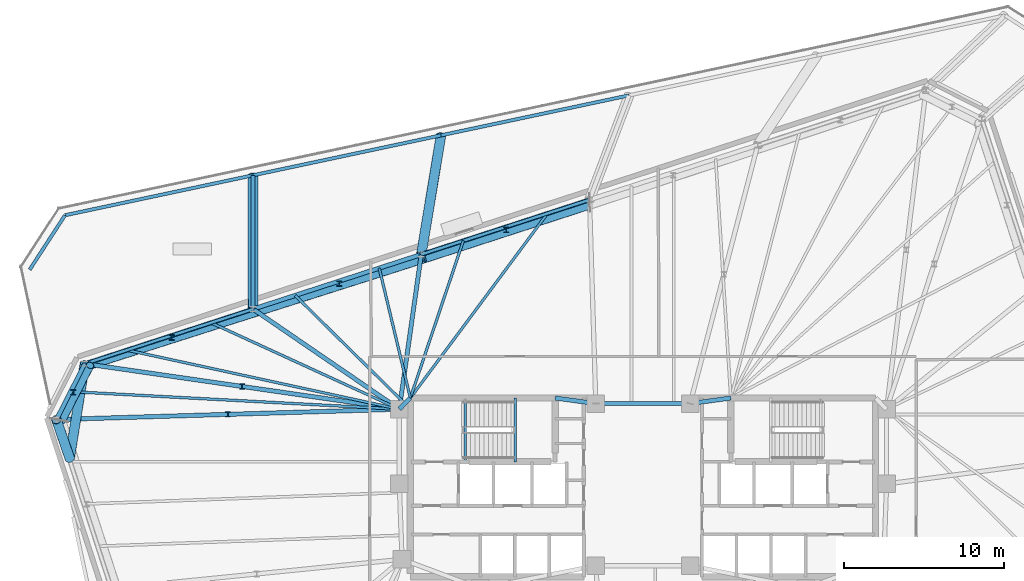
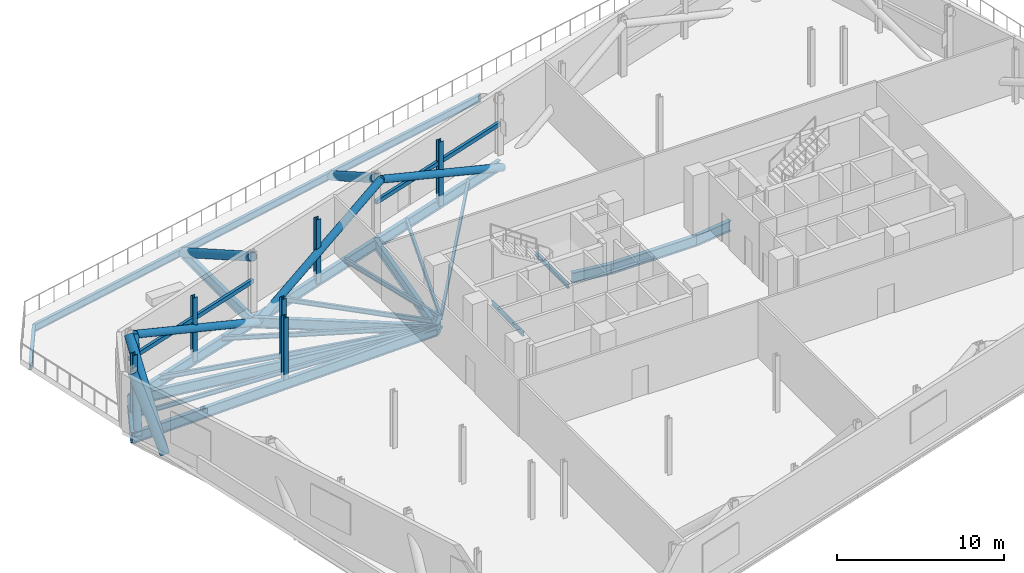
# One storey, part 7 of 16: 26 beams, 16 members.
"""IFC4 building model written with IfcOpenShell, lengths in metres."""

from ifc_helpers import new_model, si_unit, direction, frame, origin, origin_2d, place, context, subcontext, project, spatial, hollow_rectangle, hollow_circle, i_section, extrude, material, material_profile, profile_set, type_object, element, save


model = new_model("IFC4")

# Units and contexts
model_context = context("Model", 3, precision=1e-05, world=origin(), true_north=direction((0.0, 1.0)))
body_context = subcontext(model_context, "Body", "Model", "MODEL_VIEW")
ifc_project = project(units=[si_unit("LENGTHUNIT", "METRE"), si_unit("AREAUNIT", "SQUARE_METRE"), si_unit("VOLUMEUNIT", "CUBIC_METRE"), si_unit("PLANEANGLEUNIT", "RADIAN"), si_unit("MASSUNIT", "GRAM", prefix="KILO")], contexts=[model_context])

# Site, building, storey
site_placement = place(None, origin())
site = spatial("IfcSite", under=ifc_project, at=site_placement, CompositionType="ELEMENT")
building_placement = place(site_placement, origin())
building = spatial("IfcBuilding", under=site, at=building_placement, Name="Menara Jurai Vektor", CompositionType="ELEMENT")
storey_placement = place(building_placement, frame((0.0, 0.0, 202.39990234375)))
storey = spatial("IfcBuildingStorey", under=building, at=storey_placement, Name="L53", CompositionType="ELEMENT", Elevation=202.39990234375)

# Beams
ifc_material_1 = material(Name="Steel S355", Category="steel")
ifc_material_profile_1 = material_profile(ifc_material_1, i_section(OverallWidth=0.2109375, OverallDepth=0.5390625, WebThickness=0.011962890625, FlangeThickness=0.01904296875, FilletRadius=0.012939453125, at=origin_2d()), Name="UKB 533x210x109")
ifc_profile_set_1 = profile_set([ifc_material_profile_1], Name="Steel S355")
beam_type_1 = type_object("IfcBeamType", Name="STR-BM-533", PredefinedType="BEAM", material=ifc_profile_set_1)
for number, where, z_axis, x_axis, name in (
    (1, (-0.87158203125, 24.54296875, -0.67431640625), (-0.978147039247, -0.207914332389, 0.0), (0.207914332389, -0.978147039247, 0.0), "Step Terrace Edge Beam L53-13"),
    (2, (-12.639892578125, 22.04150390625, -0.67431640625), (-0.978147039247, -0.207914332389, 0.0), (0.207914332389, -0.978147039247, 0.0), "Step Terrace Edge Beam L53-14"),
):
    element("IfcBeam", number, at=place(storey_placement, frame(where, z_axis=z_axis, x_axis=x_axis)), inside=storey, type_object=beam_type_1, Name=name, PredefinedType="BEAM", context=body_context, shape_type="SweptSolid", body=[
        extrude(i_section(OverallWidth=0.2109375, OverallDepth=0.5390625, WebThickness=0.011962890625, FlangeThickness=0.01904296875, FilletRadius=0.012939453125, at=origin_2d()), origin(), (0.0, 0.0, 1.0), 12.03125),
    ])
beam_1_placement = place(storey_placement, frame((-24.408203125, 19.5400390625, -0.67431640625), z_axis=(-0.978150288855, -0.207899043801, 0.0), x_axis=(0.207899043801, -0.978150288855, 0.0)))
element("IfcBeam", 3, at=beam_1_placement, inside=storey, type_object=beam_type_1, Name="Step Terrace Edge Beam L53-15", PredefinedType="BEAM", context=body_context, shape_type="SweptSolid", body=[
    extrude(i_section(OverallWidth=0.2109375, OverallDepth=0.5390625, WebThickness=0.011962890625, FlangeThickness=0.01904296875, FilletRadius=0.012939453125, at=origin_2d()), origin(), (0.0, 0.0, 1.0), 12.031005859375),
])
beam_2_placement = place(storey_placement, frame((-36.17626953125, 17.038818359375, -0.67431640625), z_axis=(-0.544646071268, -0.838665998507, 0.0), x_axis=(0.838665998507, -0.544646071268, 0.0)))
element("IfcBeam", 4, at=beam_2_placement, inside=storey, type_object=beam_type_1, Name="Step Terrace Edge Beam L53-16", PredefinedType="BEAM", context=body_context, shape_type="SweptSolid", body=[
    extrude(i_section(OverallWidth=0.2109375, OverallDepth=0.5390625, WebThickness=0.011962890625, FlangeThickness=0.01904296875, FilletRadius=0.012939453125, at=origin_2d()), origin(), (0.0, 0.0, 1.0), 4.06201171875),
])
ifc_material_2 = material(Name="Steel S460", Category="steel")
ifc_material_profile_2 = material_profile(ifc_material_2, i_section(OverallWidth=0.26806640625, OverallDepth=0.77001953125, WebThickness=0.01611328125, FlangeThickness=0.02490234375, FilletRadius=0.01708984375, at=origin_2d()), Name="UKB 762x267x197")
ifc_profile_set_2 = profile_set([ifc_material_profile_2], Name="Steel S460")
beam_type_2 = type_object("IfcBeamType", Name="STR-BM-TR762", PredefinedType="BEAM", material=ifc_profile_set_2)
beam_3_placement = place(storey_placement, frame((-15.25, 4.89990234375, -0.789794921875), z_axis=(0.701871936926, 0.712303154672, 0.0), x_axis=(-0.712303154672, 0.701871936926, 0.0)))
element("IfcBeam", 5, at=beam_3_placement, inside=storey, type_object=beam_type_2, Name="Core Ring Header Girder L53-CHW-N1", PredefinedType="BEAM", context=body_context, shape_type="SweptSolid", body=[
    extrude(i_section(OverallWidth=0.26806640625, OverallDepth=0.77001953125, WebThickness=0.01611328125, FlangeThickness=0.02490234375, FilletRadius=0.01708984375, at=origin_2d()), origin(), (0.0, 0.0, 1.0), 0.98291015625),
])
for number, where, z_axis, x_axis, name in (
    (6, (-5.5, 5.60009765625, -0.789794921875), (0.990706818608, -0.136014703483, 0.0), (0.136014703483, 0.990706818608, 0.0), "Core Ring Header Girder L53-CHW-N2"),
    (7, (2.949951171875, 5.25, -0.789794921875), (0.990706818608, 0.136014703483, 0.0), (-0.136014703483, 0.990706818608, 0.0), "Core Ring Header Girder L53-CHE-N1"),
):
    element("IfcBeam", number, at=place(storey_placement, frame(where, z_axis=z_axis, x_axis=x_axis)), inside=storey, type_object=beam_type_2, Name=name, PredefinedType="BEAM", context=body_context, shape_type="SweptSolid", body=[
        extrude(i_section(OverallWidth=0.26806640625, OverallDepth=0.77001953125, WebThickness=0.01611328125, FlangeThickness=0.02490234375, FilletRadius=0.01708984375, at=origin_2d()), origin(), (0.0, 0.0, 1.0), 2.573974609375),
    ])
beam_4_placement = place(storey_placement, frame((-2.949951171875, 5.25, -0.789794921875), z_axis=(1.0, 0.0, 0.0), x_axis=(0.0, 1.0, 0.0)))
element("IfcBeam", 8, at=beam_4_placement, inside=storey, type_object=beam_type_2, Name="Core Ring Header Girder L53-CC-2", PredefinedType="BEAM", context=body_context, shape_type="SweptSolid", body=[
    extrude(i_section(OverallWidth=0.26806640625, OverallDepth=0.77001953125, WebThickness=0.01611328125, FlangeThickness=0.02490234375, FilletRadius=0.01708984375, at=origin_2d()), origin(), (0.0, 0.0, 1.0), 5.89990234375),
])
for number, where, z_axis, x_axis, name in (
    (9, (-3.345703125, 18.008544921875, -0.789794921875), (-0.951057401967, -0.309014268544, 0.0), (0.309014268544, -0.951057401967, 0.0), "Belt Truss Bottom Chord L53-13"),
    (10, (-13.875, 14.58740234375, -0.789794921875), (-0.951057401967, -0.309014268544, 0.0), (0.309014268544, -0.951057401967, 0.0), "Belt Truss Bottom Chord L53-14"),
):
    element("IfcBeam", number, at=place(storey_placement, frame(where, z_axis=z_axis, x_axis=x_axis)), inside=storey, type_object=beam_type_2, Name=name, PredefinedType="BEAM", context=body_context, shape_type="SweptSolid", body=[
        extrude(i_section(OverallWidth=0.26806640625, OverallDepth=0.77001953125, WebThickness=0.01611328125, FlangeThickness=0.02490234375, FilletRadius=0.01708984375, at=origin_2d()), origin(), (0.0, 0.0, 1.0), 11.071044921875),
    ])
beam_5_placement = place(storey_placement, frame((-13.875, 14.58740234375, -0.789794921875), z_axis=(-0.140527035582, -0.990076841599, 0.0), x_axis=(0.990076841599, -0.140527035582, 0.0)))
element("IfcBeam", 11, at=beam_5_placement, inside=storey, type_object=beam_type_2, Name="Outrigger Transfer Girder L53-N4", PredefinedType="BEAM", context=body_context, shape_type="SweptSolid", body=[
    extrude(i_section(OverallWidth=0.26806640625, OverallDepth=0.77001953125, WebThickness=0.01611328125, FlangeThickness=0.02490234375, FilletRadius=0.01708984375, at=origin_2d()), origin(), (0.0, 0.0, 1.0), 9.78466796875),
])
beam_6_placement = place(storey_placement, frame((-24.404296875, 11.166259765625, -0.789794921875), z_axis=(-0.951057401967, -0.309014268544, 0.0), x_axis=(0.309014268544, -0.951057401967, 0.0)))
element("IfcBeam", 12, at=beam_6_placement, inside=storey, type_object=beam_type_2, Name="Belt Truss Bottom Chord L53-15", PredefinedType="BEAM", context=body_context, shape_type="SweptSolid", body=[
    extrude(i_section(OverallWidth=0.26806640625, OverallDepth=0.77001953125, WebThickness=0.01611328125, FlangeThickness=0.02490234375, FilletRadius=0.01708984375, at=origin_2d()), origin(), (0.0, 0.0, 1.0), 11.071044921875),
])
beam_7_placement = place(storey_placement, frame((-24.408203125, 19.5400390625, -0.789794921875), z_axis=(0.000466485853, -0.999999891195, 0.0), x_axis=(0.999999891195, 0.000466485853, 0.0)))
element("IfcBeam", 13, at=beam_7_placement, inside=storey, type_object=beam_type_2, Name="Cantilever Transfer Girder L53-N5", PredefinedType="BEAM", context=body_context, shape_type="SweptSolid", body=[
    extrude(i_section(OverallWidth=0.26806640625, OverallDepth=0.77001953125, WebThickness=0.01611328125, FlangeThickness=0.02490234375, FilletRadius=0.01708984375, at=origin_2d()), origin(), (0.0, 0.0, 1.0), 8.373779296875),
])
beam_8_placement = place(storey_placement, frame((-24.404296875, 11.166259765625, -0.789794921875), z_axis=(0.825185786768, -0.564861414257, 0.0), x_axis=(0.564861414257, 0.825185786768, 0.0)))
element("IfcBeam", 14, at=beam_8_placement, inside=storey, type_object=beam_type_2, Name="Outrigger Transfer Girder L53-N5", PredefinedType="BEAM", context=body_context, shape_type="SweptSolid", body=[
    extrude(i_section(OverallWidth=0.26806640625, OverallDepth=0.77001953125, WebThickness=0.01611328125, FlangeThickness=0.02490234375, FilletRadius=0.01708984375, at=origin_2d()), origin(), (0.0, 0.0, 1.0), 11.093505859375),
])
beam_9_placement = place(storey_placement, frame((-34.93359375, 7.7451171875, -0.789794921875), z_axis=(-0.453976155955, -0.891013832566, 0.0), x_axis=(0.891013832566, -0.453976155955, 0.0)))
element("IfcBeam", 15, at=beam_9_placement, inside=storey, type_object=beam_type_2, Name="Belt Truss Bottom Chord L53-16", PredefinedType="BEAM", context=body_context, shape_type="SweptSolid", body=[
    extrude(i_section(OverallWidth=0.26806640625, OverallDepth=0.77001953125, WebThickness=0.01611328125, FlangeThickness=0.02490234375, FilletRadius=0.01708984375, at=origin_2d()), origin(), (0.0, 0.0, 1.0), 3.92041015625),
])
beam_10_placement = place(storey_placement, frame((-34.93359375, 7.7451171875, -0.789794921875), z_axis=(0.989713916117, -0.14306070126, 0.0), x_axis=(0.14306070126, 0.989713916117, 0.0)))
element("IfcBeam", 16, at=beam_10_placement, inside=storey, type_object=beam_type_2, Name="Outrigger Transfer Girder L53-N6", PredefinedType="BEAM", context=body_context, shape_type="SweptSolid", body=[
    extrude(i_section(OverallWidth=0.26806640625, OverallDepth=0.77001953125, WebThickness=0.01611328125, FlangeThickness=0.02490234375, FilletRadius=0.01708984375, at=origin_2d()), origin(), (0.0, 0.0, 1.0), 19.88818359375),
])
beam_11_placement = place(storey_placement, frame((-36.71337890625, 4.251953125, -0.789794921875), z_axis=(0.999544635638, 0.030174846589, 0.0), x_axis=(-0.030174846589, 0.999544635638, 0.0)))
element("IfcBeam", 17, at=beam_11_placement, inside=storey, type_object=beam_type_2, Name="Outrigger Transfer Girder L53-W1", PredefinedType="BEAM", context=body_context, shape_type="SweptSolid", body=[
    extrude(i_section(OverallWidth=0.26806640625, OverallDepth=0.77001953125, WebThickness=0.01611328125, FlangeThickness=0.02490234375, FilletRadius=0.01708984375, at=origin_2d()), origin(), (0.0, 0.0, 1.0), 21.47314453125),
])

# Members
ifc_material_profile_3 = material_profile(ifc_material_2, hollow_circle(Radius=0.25390625, WallThickness=0.02001953125, at=origin_2d()), Name="CHS 508x20")
ifc_profile_set_3 = profile_set([ifc_material_profile_3], Name="Steel S460")
member_type_1 = type_object("IfcMemberType", Name="STR-BR-508", PredefinedType="BRACE", material=ifc_profile_set_3)
member_1_placement = place(storey_placement, frame((-3.333251953125, 17.6689453125, -0.789794921875), z_axis=(-0.870728383739, -0.282932306758, 0.402220575734), x_axis=(0.30903231228, -0.95105153907, 0.0)))
element("IfcMember", 18, at=member_1_placement, inside=storey, type_object=member_type_1, Name="Belt Truss Web Diagonal L53-13", PredefinedType="BRACE", context=body_context, shape_type="SweptSolid", body=[
    extrude(hollow_circle(Radius=0.25390625, WallThickness=0.02001953125, at=origin_2d()), origin(), (0.0, 0.0, 1.0), 11.888916015625),
])
member_2_placement = place(storey_placement, frame((-24.114501953125, 10.988525390625, -0.789794921875), z_axis=(0.873246414208, 0.27770617859, 0.400399773283), x_axis=(-0.303060009313, 0.952971474261, 0.0)))
element("IfcMember", 19, at=member_2_placement, inside=storey, type_object=member_type_1, Name="Belt Truss Web Diagonal L53-14", PredefinedType="BRACE", context=body_context, shape_type="SweptSolid", body=[
    extrude(hollow_circle(Radius=0.25390625, WallThickness=0.02001953125, at=origin_2d()), origin(), (0.0, 0.0, 1.0), 11.943115234375),
])
member_3_placement = place(storey_placement, frame((-24.114501953125, 10.988525390625, -0.789794921875), z_axis=(-0.873990689553, -0.278439151841, 0.398261111955), x_axis=(0.303551318023, -0.952815090837, 0.0)))
element("IfcMember", 20, at=member_3_placement, inside=storey, type_object=member_type_1, Name="Belt Truss Web Diagonal L53-15", PredefinedType="BRACE", context=body_context, shape_type="SweptSolid", body=[
    extrude(hollow_circle(Radius=0.25390625, WallThickness=0.02001953125, at=origin_2d()), origin(), (0.0, 0.0, 1.0), 12.007080078125),
])
member_4_placement = place(storey_placement, frame((-36.37939453125, 4.188720703125, -0.789794921875), z_axis=(0.287440766586, 0.561090083182, 0.776244629134), x_axis=(-0.890009146357, 0.455942671177, 0.0)))
element("IfcMember", 21, at=member_4_placement, inside=storey, type_object=member_type_1, Name="Belt Truss Web Diagonal L53-16", PredefinedType="BRACE", context=body_context, shape_type="SweptSolid", body=[
    extrude(hollow_circle(Radius=0.25390625, WallThickness=0.02001953125, at=origin_2d()), origin(), (0.0, 0.0, 1.0), 6.160400390625),
])
ifc_material_profile_4 = material_profile(ifc_material_2, hollow_rectangle(XDim=0.199951171875, YDim=0.300048828125, WallThickness=0.012451171875, at=origin_2d()), Name="RHS 300x200x12.5")
ifc_profile_set_4 = profile_set([ifc_material_profile_4], Name="Steel S460")
member_type_2 = type_object("IfcMemberType", Name="STR-CH-RHS300", PredefinedType="CHORD", material=ifc_profile_set_4)
for number, where, z_axis, x_axis, name in (
    (22, (-3.345703125, 18.008544921875, 2.22998046875), (-0.951057401967, -0.309014268544, 0.0), (0.309014268544, -0.951057401967, 0.0), "Belt Truss Mid Chord L53-13"),
    (23, (-24.404296875, 11.166259765625, 2.22998046875), (-0.951057401967, -0.309014268544, 0.0), (0.309014268544, -0.951057401967, 0.0), "Belt Truss Mid Chord L53-15"),
):
    element("IfcMember", number, at=place(storey_placement, frame(where, z_axis=z_axis, x_axis=x_axis)), inside=storey, type_object=member_type_2, Name=name, PredefinedType="CHORD", context=body_context, shape_type="SweptSolid", body=[
        extrude(hollow_rectangle(XDim=0.199951171875, YDim=0.300048828125, WallThickness=0.012451171875, at=origin_2d()), origin(), (0.0, 0.0, 1.0), 11.071044921875),
    ])

# Beams
ifc_material_profile_5 = material_profile(ifc_material_1, i_section(OverallWidth=0.1650390625, OverallDepth=0.330078125, WebThickness=0.009033203125, FlangeThickness=0.013916015625, at=origin_2d()), Name="PG 330x165x46")
ifc_profile_set_5 = profile_set([ifc_material_profile_5], Name="Steel S355")
beam_type_3 = type_object("IfcBeamType", Name="STR-JS-330", PredefinedType="JOIST", material=ifc_profile_set_5)
beam_12_placement = place(storey_placement, frame((-5.97802734375, 17.1533203125, -0.56982421875), z_axis=(-0.59630776033, -0.802755912448, 0.0), x_axis=(0.802755912448, -0.59630776033, 0.0)))
element("IfcBeam", 24, at=beam_12_placement, inside=storey, type_object=beam_type_3, Name="Radial Secondary Floor Joist L53-JS21", PredefinedType="JOIST", context=body_context, shape_type="SweptSolid", body=[
    extrude(i_section(OverallWidth=0.1650390625, OverallDepth=0.330078125, WebThickness=0.009033203125, FlangeThickness=0.013916015625, at=origin_2d()), origin(), (0.0, 0.0, 1.0), 14.391845703125),
])
beam_13_placement = place(storey_placement, frame((-11.24267578125, 15.44287109375, -0.56982421875), z_axis=(-0.319385076217, -0.94762501713, 0.0), x_axis=(0.94762501713, -0.319385076217, 0.0)))
element("IfcBeam", 25, at=beam_13_placement, inside=storey, type_object=beam_type_3, Name="Radial Secondary Floor Joist L53-JS22", PredefinedType="JOIST", context=body_context, shape_type="SweptSolid", body=[
    extrude(i_section(OverallWidth=0.1650390625, OverallDepth=0.330078125, WebThickness=0.009033203125, FlangeThickness=0.013916015625, at=origin_2d()), origin(), (0.0, 0.0, 1.0), 10.38671875),
])
beam_14_placement = place(storey_placement, frame((-16.50732421875, 13.732177734375, -0.56982421875), z_axis=(0.23287158907, -0.972507492518, 0.0), x_axis=(0.972507492518, 0.23287158907, 0.0)))
element("IfcBeam", 26, at=beam_14_placement, inside=storey, type_object=beam_type_3, Name="Radial Secondary Floor Joist L53-JS23", PredefinedType="JOIST", context=body_context, shape_type="SweptSolid", body=[
    extrude(i_section(OverallWidth=0.1650390625, OverallDepth=0.330078125, WebThickness=0.009033203125, FlangeThickness=0.013916015625, at=origin_2d()), origin(), (0.0, 0.0, 1.0), 8.362060546875),
])
beam_15_placement = place(storey_placement, frame((-21.77197265625, 12.021484375, -0.56982421875), z_axis=(0.7121893722, -0.701987391714, 0.0), x_axis=(0.701987391714, 0.7121893722, 0.0)))
element("IfcBeam", 27, at=beam_15_placement, inside=storey, type_object=beam_type_3, Name="Radial Secondary Floor Joist L53-JS24", PredefinedType="JOIST", context=body_context, shape_type="SweptSolid", body=[
    extrude(i_section(OverallWidth=0.1650390625, OverallDepth=0.330078125, WebThickness=0.009033203125, FlangeThickness=0.013916015625, at=origin_2d()), origin(), (0.0, 0.0, 1.0), 9.64404296875),
])
beam_16_placement = place(storey_placement, frame((-27.03662109375, 10.31103515625, -0.56982421875), z_axis=(0.908803804095, -0.417223735738, 0.0), x_axis=(0.417223735738, 0.908803804095, 0.0)))
element("IfcBeam", 28, at=beam_16_placement, inside=storey, type_object=beam_type_3, Name="Radial Secondary Floor Joist L53-JS25", PredefinedType="JOIST", context=body_context, shape_type="SweptSolid", body=[
    extrude(i_section(OverallWidth=0.1650390625, OverallDepth=0.330078125, WebThickness=0.009033203125, FlangeThickness=0.013916015625, at=origin_2d()), origin(), (0.0, 0.0, 1.0), 12.969482421875),
])
beam_17_placement = place(storey_placement, frame((-32.30126953125, 8.600341796875, -0.56982421875), z_axis=(0.977251946396, -0.212081666498, 0.0), x_axis=(0.212081666498, 0.977251946396, 0.0)))
element("IfcBeam", 29, at=beam_17_placement, inside=storey, type_object=beam_type_3, Name="Radial Secondary Floor Joist L53-JS26", PredefinedType="JOIST", context=body_context, shape_type="SweptSolid", body=[
    extrude(i_section(OverallWidth=0.1650390625, OverallDepth=0.330078125, WebThickness=0.009033203125, FlangeThickness=0.013916015625, at=origin_2d()), origin(), (0.0, 0.0, 1.0), 17.4482421875),
])
beam_18_placement = place(storey_placement, frame((-35.823486328125, 5.99853515625, -0.56982421875), z_axis=(0.998577239708, -0.053324444086, 0.0), x_axis=(0.053324444086, 0.998577239708, 0.0)))
element("IfcBeam", 30, at=beam_18_placement, inside=storey, type_object=beam_type_3, Name="Radial Secondary Floor Joist L53-JS27", PredefinedType="JOIST", context=body_context, shape_type="SweptSolid", body=[
    extrude(i_section(OverallWidth=0.1650390625, OverallDepth=0.330078125, WebThickness=0.009033203125, FlangeThickness=0.013916015625, at=origin_2d()), origin(), (0.0, 0.0, 1.0), 20.602783203125),
])
ifc_material_profile_6 = material_profile(ifc_material_1, i_section(OverallWidth=0.1650390625, OverallDepth=0.302978515625, WebThickness=0.006103515625, FlangeThickness=0.010009765625, FilletRadius=0.009033203125, at=origin_2d()), Name="UKB 305x165x40")
ifc_profile_set_6 = profile_set([ifc_material_profile_6], Name="Steel S355")
beam_type_4 = type_object("IfcBeamType", Name="STR-LN-305", PredefinedType="LINTEL", material=ifc_profile_set_6)
beam_19_placement = place(storey_placement, frame((-11.1201171875, 1.60009765625, -0.556396484375), z_axis=(0.0, 1.0, 0.0), x_axis=(-1.0, 0.0, 0.0)))
element("IfcBeam", 31, at=beam_19_placement, inside=storey, type_object=beam_type_4, Name="Stair Well Floor Trimmer ST1 L53", PredefinedType="LINTEL", context=body_context, shape_type="SweptSolid", body=[
    extrude(i_section(OverallWidth=0.1650390625, OverallDepth=0.302978515625, WebThickness=0.006103515625, FlangeThickness=0.010009765625, FilletRadius=0.009033203125, at=origin_2d()), origin(), (0.0, 0.0, 1.0), 3.81982421875),
])
beam_20_placement = place(storey_placement, frame((-7.989990234375, 1.60009765625, 1.8486328125), z_axis=(0.0, 1.0, 0.0), x_axis=(-1.0, 0.0, 0.0)))
element("IfcBeam", 32, at=beam_20_placement, inside=storey, type_object=beam_type_4, Name="Stair Half-Landing Nosing Trimmer ST1-1 L53", PredefinedType="LINTEL", context=body_context, shape_type="SweptSolid", body=[
    extrude(i_section(OverallWidth=0.1650390625, OverallDepth=0.302978515625, WebThickness=0.006103515625, FlangeThickness=0.010009765625, FilletRadius=0.009033203125, at=origin_2d()), origin(), (0.0, 0.0, 1.0), 4.0),
])

# Members
ifc_material_profile_7 = material_profile(ifc_material_2, i_section(OverallWidth=0.31103515625, OverallDepth=0.326904296875, WebThickness=0.01611328125, FlangeThickness=0.02490234375, FilletRadius=0.014892578125, at=origin_2d()), Name="UKC 305x305x158")
ifc_profile_set_7 = profile_set([ifc_material_profile_7], Name="Steel S460")
member_type_3 = type_object("IfcMemberType", Name="STR-POST-305", PredefinedType="POST", material=ifc_profile_set_7)
for number, where, z_axis, x_axis, name in (
    (33, (-8.5546875, 16.126953125, -0.7548828125), (0.0, 0.0, 1.0), (1.0, 0.0, 0.0), "Belt Truss Vertical Web Post L53-13"),
    (34, (-19.006591796875, 12.755615234375, -0.7548828125), (0.0, 0.0, 1.0), (1.0, 0.0, 0.0), "Belt Truss Vertical Web Post L53-14"),
    (35, (-29.503662109375, 9.384521484375, -0.7548828125), (0.0, 0.0, 1.0), (1.0, 0.0, 0.0), "Belt Truss Vertical Web Post L53-15"),
):
    element("IfcMember", number, at=place(storey_placement, frame(where, z_axis=z_axis, x_axis=x_axis)), inside=storey, type_object=member_type_3, Name=name, PredefinedType="POST", context=body_context, shape_type="SweptSolid", body=[
        extrude(i_section(OverallWidth=0.31103515625, OverallDepth=0.326904296875, WebThickness=0.01611328125, FlangeThickness=0.02490234375, FilletRadius=0.014892578125, at=origin_2d()), origin(), (0.0, 0.0, 1.0), 4.705078125),
    ])
member_5_placement = place(storey_placement, frame((-25.091796875, 6.322509765625, -0.40478515625), z_axis=(0.0, 0.0, 1.0), x_axis=(1.0, 0.0, 0.0)))
element("IfcMember", 36, at=member_5_placement, inside=storey, type_object=member_type_3, Name="Girder Hanger L53-N6", PredefinedType="POST", context=body_context, shape_type="SweptSolid", body=[
    extrude(i_section(OverallWidth=0.31103515625, OverallDepth=0.326904296875, WebThickness=0.01611328125, FlangeThickness=0.02490234375, FilletRadius=0.014892578125, at=origin_2d()), origin(), (0.0, 0.0, 1.0), 4.554931640625),
])
member_6_placement = place(storey_placement, frame((-35.648681640625, 5.955322265625, -0.7548828125), z_axis=(0.0, 0.0, 1.0), x_axis=(1.0, 0.0, 0.0)))
element("IfcMember", 37, at=member_6_placement, inside=storey, type_object=member_type_3, Name="Belt Truss Vertical Web Post L53-16", PredefinedType="POST", context=body_context, shape_type="SweptSolid", body=[
    extrude(i_section(OverallWidth=0.31103515625, OverallDepth=0.326904296875, WebThickness=0.01611328125, FlangeThickness=0.02490234375, FilletRadius=0.014892578125, at=origin_2d()), origin(), (0.0, 0.0, 1.0), 4.705078125),
])
member_7_placement = place(storey_placement, frame((-25.981689453125, 4.575927734375, -0.40478515625), z_axis=(0.0, 0.0, 1.0), x_axis=(1.0, 0.0, 0.0)))
element("IfcMember", 38, at=member_7_placement, inside=storey, type_object=member_type_3, Name="Girder Hanger L53-W1", PredefinedType="POST", context=body_context, shape_type="SweptSolid", body=[
    extrude(i_section(OverallWidth=0.31103515625, OverallDepth=0.326904296875, WebThickness=0.01611328125, FlangeThickness=0.02490234375, FilletRadius=0.014892578125, at=origin_2d()), origin(), (0.0, 0.0, 1.0), 4.554931640625),
])
ifc_material_profile_8 = material_profile(ifc_material_2, hollow_circle(Radius=0.304931640625, WallThickness=0.02490234375, at=origin_2d()), Name="CHS 610x25")
ifc_profile_set_8 = profile_set([ifc_material_profile_8], Name="Steel S460")
member_type_4 = type_object("IfcMemberType", Name="STR-ST-610", PredefinedType="STRUT", material=ifc_profile_set_8)
member_8_placement = place(storey_placement, frame((-12.639892578125, 22.04150390625, -0.789794921875), z_axis=(-0.138126786507, -0.833620685041, 0.53478738235), x_axis=(0.986548929639, -0.163466233298, 0.0)))
element("IfcMember", 39, at=member_8_placement, inside=storey, type_object=member_type_4, Name="Transfer Outrigger Strut L53-N4", PredefinedType="STRUT", context=body_context, shape_type="SweptSolid", body=[
    extrude(hollow_circle(Radius=0.304931640625, WallThickness=0.02490234375, at=origin_2d()), origin(), (0.0, 0.0, 1.0), 8.94189453125),
])
member_9_placement = place(storey_placement, frame((-24.407958984375, 19.5400390625, -0.789794921875), z_axis=(0.000379768475, -0.868378595243, 0.495901674831), x_axis=(0.999999904371, 0.000437330493, 0.0)))
element("IfcMember", 40, at=member_9_placement, inside=storey, type_object=member_type_4, Name="Transfer Outrigger Strut L53-N5", PredefinedType="STRUT", context=body_context, shape_type="SweptSolid", body=[
    extrude(hollow_circle(Radius=0.304931640625, WallThickness=0.02490234375, at=origin_2d()), origin(), (0.0, 0.0, 1.0), 9.64306640625),
])
member_10_placement = place(storey_placement, frame((-35.8828125, 1.843505859375, -0.789794921875), z_axis=(0.124001568341, 0.770959339381, 0.624696172608), x_axis=(-0.987310824406, 0.158799672581, 0.0)))
element("IfcMember", 41, at=member_10_placement, inside=storey, type_object=member_type_4, Name="Transfer Outrigger Strut L53-N6", PredefinedType="STRUT", context=body_context, shape_type="SweptSolid", body=[
    extrude(hollow_circle(Radius=0.304931640625, WallThickness=0.02490234375, at=origin_2d()), origin(), (0.0, 0.0, 1.0), 7.65478515625),
])
member_11_placement = place(storey_placement, frame((-35.8828125, 1.843505859375, -0.789794921875), z_axis=(-0.153289532262, 0.444503596639, 0.88256380612), x_axis=(-0.945364834237, -0.32601430979, 0.0)))
element("IfcMember", 42, at=member_11_placement, inside=storey, type_object=member_type_4, Name="Transfer Outrigger Strut L53-W1", PredefinedType="STRUT", context=body_context, shape_type="SweptSolid", body=[
    extrude(hollow_circle(Radius=0.304931640625, WallThickness=0.02490234375, at=origin_2d()), origin(), (0.0, 0.0, 1.0), 5.418212890625),
])

save(model, "model.ifc")
